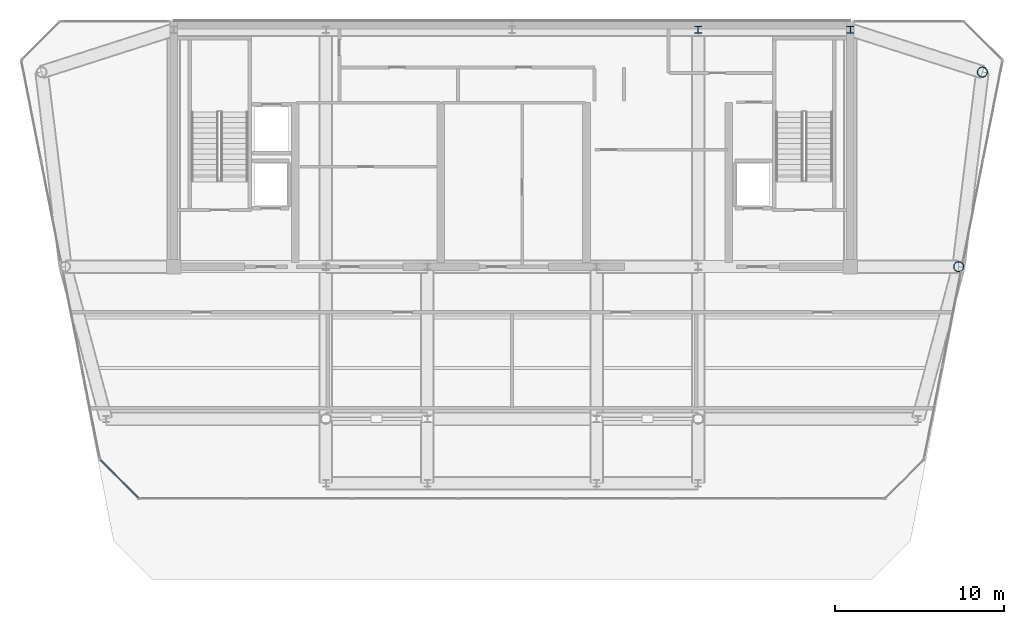
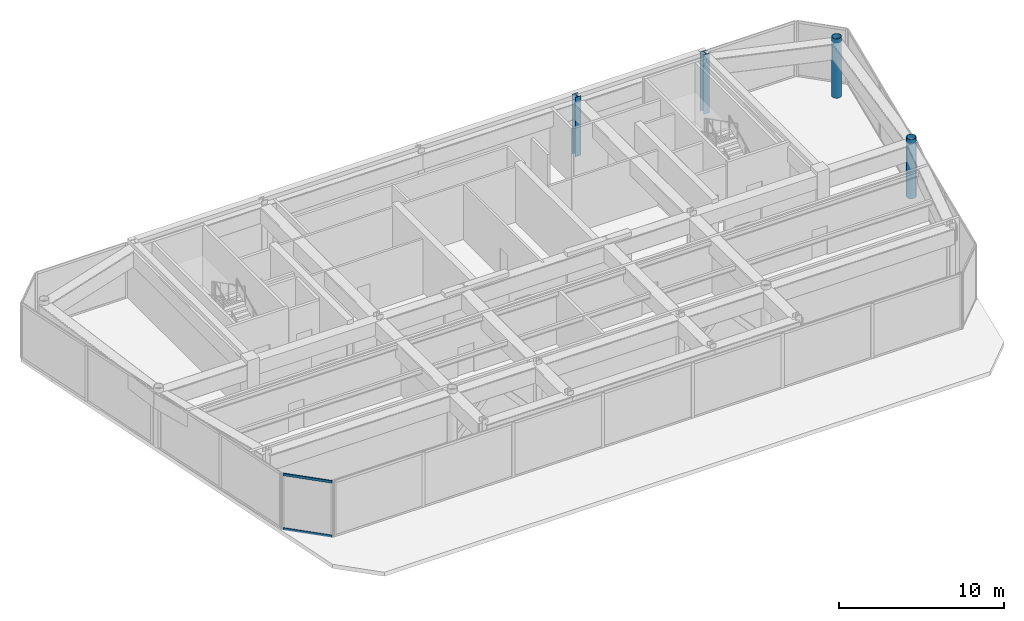
# One storey, part 2 of 12: 4 columns, 2 members, 1 element without a shape of its own.
"""IFC4 building model written with IfcOpenShell, lengths in metres."""

import ifcopenshell
import ifcopenshell.guid

model = None  # the IFC model being written
_history = None  # IfcOwnerHistory: only IFC2X3 demands one
_inside = {}  # id of a spatial element -> (the spatial element, [elements in it])
_under = {}  # id of a project, library or spatial element -> (it, [spatial elements below it])
_declared = {}  # id of a project -> (the project, [libraries it declares])
_typed = {}  # id of a type object -> (the type object, [elements of that type])
_made_of = {}  # id of a material, layer set ... -> (it, [elements and type objects made of it])


def new_model(schema):
    """Start an empty IFC model of exactly this schema.

    Asked for "IFC4X3", IfcOpenShell would pick the latest addendum, in which some entities
    have other attributes; the version numbers below select the first issue.
    IFC2X3 requires an IfcOwnerHistory on every rooted entity: one is made here for all.
    """
    global model, _history
    if schema == "IFC4X3":
        model = ifcopenshell.file(schema_version=(4, 3, 0, 0))
    else:
        model = ifcopenshell.file(schema=schema)
    _inside.clear()
    _under.clear()
    _declared.clear()
    _typed.clear()
    _made_of.clear()
    _history = None
    if model.schema == "IFC2X3":
        org = make("IfcOrganization", Name="unknown")
        user = make(
            "IfcPersonAndOrganization",
            ThePerson=make("IfcPerson", FamilyName="unknown"),
            TheOrganization=org,
        )
        app = make(
            "IfcApplication",
            ApplicationDeveloper=org,
            Version="unknown",
            ApplicationFullName="unknown",
            ApplicationIdentifier="unknown",
        )
        _history = make(
            "IfcOwnerHistory",
            OwningUser=user,
            OwningApplication=app,
            ChangeAction="ADDED",
            CreationDate=0,
        )
    return model


def make(cls, **values):
    """One entity of the class cls with the attributes given. An attribute that is None is left unset."""
    return model.create_entity(
        cls, **{name: value for name, value in values.items() if value is not None}
    )


def rooted(cls, **values):
    """An entity with a GlobalId (a new one), such as an element, a storey or a relation."""
    return make(cls, GlobalId=ifcopenshell.guid.new(), OwnerHistory=_history, **values)


def si_unit(unit_type, name, prefix=None):
    """IfcSIUnit, for example si_unit("LENGTHUNIT", "METRE", prefix="MILLI")."""
    return make("IfcSIUnit", UnitType=unit_type, Prefix=prefix, Name=name)


def assignment(units):
    """IfcUnitAssignment: the units of a project."""
    return None if units is None else make("IfcUnitAssignment", Units=units)


def point(xyz):
    """IfcCartesianPoint."""
    return None if xyz is None else make("IfcCartesianPoint", Coordinates=xyz)


def direction(xyz):
    """IfcDirection."""
    return None if xyz is None else make("IfcDirection", DirectionRatios=xyz)


def frame(location, z_axis=None, x_axis=None):
    """IfcAxis2Placement3D, a coordinate frame: its origin and axes. An axis left out is left unset."""
    return make(
        "IfcAxis2Placement3D",
        Location=point(location),
        Axis=direction(z_axis),
        RefDirection=direction(x_axis),
    )


def frame_2d(location, x_axis=None):
    """IfcAxis2Placement2D, a coordinate frame in the plane: its origin and x axis."""
    return make(
        "IfcAxis2Placement2D", Location=point(location), RefDirection=direction(x_axis)
    )


def origin():
    """The frame at (0, 0, 0) with its axes left unset."""
    return frame((0.0, 0.0, 0.0))


def origin_2d():
    """The frame at (0, 0) in the plane with its x axis left unset."""
    return frame_2d((0.0, 0.0))


def place(relative_to, where):
    """IfcLocalPlacement: puts the frame where relative to a parent placement (None: the world)."""
    return make(
        "IfcLocalPlacement", PlacementRelTo=relative_to, RelativePlacement=where
    )


def context(
    kind, dimensions, precision=None, world=None, true_north=None, identifier=None
):
    """IfcGeometricRepresentationContext, for example the 3D "Model" context."""
    return make(
        "IfcGeometricRepresentationContext",
        ContextIdentifier=identifier,
        ContextType=kind,
        CoordinateSpaceDimension=dimensions,
        Precision=precision,
        WorldCoordinateSystem=world,
        TrueNorth=true_north,
    )


def subcontext(parent, identifier, kind, view, scale=None):
    """IfcGeometricRepresentationSubContext, for example "Body" below "Model"."""
    return make(
        "IfcGeometricRepresentationSubContext",
        ContextIdentifier=identifier,
        ContextType=kind,
        ParentContext=parent,
        TargetScale=scale,
        TargetView=view,
    )


def project(units=None, contexts=None):
    """IfcProject with its units and contexts."""
    return rooted(
        "IfcProject",
        Name="project",
        RepresentationContexts=contexts,
        UnitsInContext=assignment(units),
    )


def spatial(cls, under=None, at=None, **own):
    """A site, building, storey or space (cls), placed at a placement, below another one or the project."""
    s = rooted(cls, ObjectPlacement=at, **own)
    if under is not None:
        _under.setdefault(under.id(), (under, []))[1].append(s)
    return s


def profile(cls, at=None, kind="AREA", **sizes):
    """A parametric profile (cls). Its sizes go by their IFC names, for example OverallWidth=200.0."""
    return make(cls, ProfileType=kind, Position=at, **sizes)


def rectangle(**sizes):
    """IfcRectangleProfileDef."""
    return profile("IfcRectangleProfileDef", **sizes)


def hollow_circle(**sizes):
    """IfcCircleHollowProfileDef."""
    return profile("IfcCircleHollowProfileDef", **sizes)


def i_section(**sizes):
    """IfcIShapeProfileDef."""
    return profile("IfcIShapeProfileDef", **sizes)


def extrude(swept, where, along, depth):
    """IfcExtrudedAreaSolid: the profile swept, set in the frame where, extruded along a direction by depth."""
    return make(
        "IfcExtrudedAreaSolid",
        SweptArea=swept,
        Position=where,
        ExtrudedDirection=direction(along),
        Depth=depth,
    )


def shape(context_of_items, identifier, shape_type, items):
    """IfcShapeRepresentation: the items that make up one representation, for example the "Body"."""
    return make(
        "IfcShapeRepresentation",
        ContextOfItems=context_of_items,
        RepresentationIdentifier=identifier,
        RepresentationType=shape_type,
        Items=items,
    )


def source(mapping_origin, context_of_items, identifier, shape_type, items):
    """IfcRepresentationMap: a shape defined once, which mapped items show again and again."""
    return make(
        "IfcRepresentationMap",
        MappingOrigin=mapping_origin,
        MappedRepresentation=shape(context_of_items, identifier, shape_type, items),
    )


def transform(
    local_origin,
    x_axis=None,
    y_axis=None,
    z_axis=None,
    scale=None,
    scale2=None,
    scale3=None,
    uniform=True,
):
    """IfcCartesianTransformationOperator3D, or its non-uniform kind. x_axis, y_axis, z_axis: its Axis1, 2, 3."""
    if uniform:
        return make(
            "IfcCartesianTransformationOperator3D",
            Axis1=direction(x_axis),
            Axis2=direction(y_axis),
            LocalOrigin=point(local_origin),
            Scale=scale,
            Axis3=direction(z_axis),
        )
    return make(
        "IfcCartesianTransformationOperator3DnonUniform",
        Axis1=direction(x_axis),
        Axis2=direction(y_axis),
        LocalOrigin=point(local_origin),
        Scale=scale,
        Axis3=direction(z_axis),
        Scale2=scale2,
        Scale3=scale3,
    )


def mapped(mapping_source, mapping_target):
    """IfcMappedItem: shows the shape of a source again, moved by a transform."""
    return make(
        "IfcMappedItem", MappingSource=mapping_source, MappingTarget=mapping_target
    )


def material(Name=None, Category=None):
    """IfcMaterial."""
    return make("IfcMaterial", Name=Name, Category=Category)


def layer(
    of_material, thickness, ventilated=None, Name=None, Category=None, Priority=None
):
    """IfcMaterialLayer: one layer of a wall or slab, of a material (None: an air gap)."""
    return make(
        "IfcMaterialLayer",
        Material=of_material,
        LayerThickness=thickness,
        IsVentilated=ventilated,
        Name=Name,
        Category=Category,
        Priority=Priority,
    )


def layer_set(layers, Name=None):
    """IfcMaterialLayerSet."""
    return make("IfcMaterialLayerSet", MaterialLayers=layers, LayerSetName=Name)


def material_profile(
    of_material, cross_section, Name=None, Category=None, Priority=None
):
    """IfcMaterialProfile: a cross section and its material."""
    return make(
        "IfcMaterialProfile",
        Name=Name,
        Material=of_material,
        Profile=cross_section,
        Priority=Priority,
        Category=Category,
    )


def profile_set(profiles, Name=None, composite=None):
    """IfcMaterialProfileSet."""
    return make(
        "IfcMaterialProfileSet",
        Name=Name,
        MaterialProfiles=profiles,
        CompositeProfile=composite,
    )


def made_of(thing, what):
    """Note that an element or type object is made of a material, layer set ...; save() writes the relation."""
    if what is not None:
        _made_of.setdefault(what.id(), (what, []))[1].append(thing)
    return thing


def type_object(cls, material=None, **own):
    """A type object (cls), such as IfcWallType, which elements share."""
    return made_of(rooted(cls, **own), material)


def element(
    cls,
    number,
    at=None,
    inside=None,
    cuts=None,
    type_object=None,
    material=None,
    context=None,
    identifier="Body",
    shape_type=None,
    held_by="IfcProductDefinitionShape",
    body=None,
    shapes=None,
    **own,
):
    """One element of the class cls, such as IfcWall. Its Tag is "e" and its number.

    at: its placement. inside: the storey or other place that contains it. cuts: it is an
    opening in that element (IfcRelVoidsElement). A single representation is given by context,
    identifier, shape_type and body (its items); several are given by shapes. held_by: the class
    of the entity that holds the representations. save() writes the other relations.
    """
    e = rooted(cls, Tag="e%d" % number, ObjectPlacement=at, **own)
    if body is not None:
        shapes = [shape(context, identifier, shape_type, body)]
    if shapes is not None:
        e.Representation = make(held_by, Representations=shapes)
    if inside is not None:
        _inside.setdefault(inside.id(), (inside, []))[1].append(e)
    if cuts is not None:
        rooted(
            "IfcRelVoidsElement", RelatingBuildingElement=cuts, RelatedOpeningElement=e
        )
    if type_object is not None:
        _typed.setdefault(type_object.id(), (type_object, []))[1].append(e)
    return made_of(e, material)


def aggregate(whole, parts):
    """IfcRelAggregates: a whole, such as a stair, and the parts it consists of."""
    return rooted("IfcRelAggregates", RelatingObject=whole, RelatedObjects=parts)


def save(model, path):
    """Write the relations noted so far, then the file.

    IfcRelAggregates (storeys below a building ...), IfcRelContainedInSpatialStructure (elements
    in a storey), IfcRelDefinesByType, IfcRelAssociatesMaterial and IfcRelDeclares: one each for
    every whole, place, type object, material and project.
    """
    for whole, parts in _under.values():
        aggregate(whole, parts)
    for where, things in _inside.values():
        rooted(
            "IfcRelContainedInSpatialStructure",
            RelatedElements=things,
            RelatingStructure=where,
        )
    for kind, things in _typed.values():
        rooted("IfcRelDefinesByType", RelatedObjects=things, RelatingType=kind)
    for what, things in _made_of.values():
        rooted("IfcRelAssociatesMaterial", RelatedObjects=things, RelatingMaterial=what)
    for by, libraries in _declared.values():
        rooted("IfcRelDeclares", RelatingContext=by, RelatedDefinitions=libraries)
    model.write(path)


model = new_model("IFC4")

# Units and contexts
model_context = context("Model", 3, precision=1e-05, world=origin(), true_north=direction((0.0, 1.0)))
body_context = subcontext(model_context, "Body", "Model", "MODEL_VIEW")
ifc_project = project(units=[si_unit("LENGTHUNIT", "METRE"), si_unit("AREAUNIT", "SQUARE_METRE"), si_unit("VOLUMEUNIT", "CUBIC_METRE"), si_unit("PLANEANGLEUNIT", "RADIAN"), si_unit("MASSUNIT", "GRAM", prefix="KILO")], contexts=[model_context])

# Site, building, storey
site_placement = place(None, origin())
site = spatial("IfcSite", under=ifc_project, at=site_placement, CompositionType="ELEMENT")
building_placement = place(site_placement, origin())
building = spatial("IfcBuilding", under=site, at=building_placement, Name="Vaeldorn Concourse Tower", CompositionType="ELEMENT")
storey_placement = place(building_placement, frame((0.0, 0.0, 308.39990234375)))
storey = spatial("IfcBuildingStorey", under=building, at=storey_placement, Name="L79", CompositionType="ELEMENT", Elevation=308.39990234375)

# Columns
ifc_material_1 = material(Name="Steel S355", Category="steel")
ifc_material_profile_1 = material_profile(ifc_material_1, i_section(OverallWidth=0.406005859375, OverallDepth=0.416015625, WebThickness=0.02978515625, FlangeThickness=0.0419921875, FilletRadius=0.014892578125, at=origin_2d()), Name="HD 400x382")
ifc_profile_set_1 = profile_set([ifc_material_profile_1], Name="Steel S355")
column_type_1 = type_object("IfcColumnType", Name="COL-HD382", PredefinedType="COLUMN", material=ifc_profile_set_1)
shared_shape_1 = source(origin(), body_context, "Body", "SweptSolid", [
    extrude(i_section(OverallWidth=0.406005859375, OverallDepth=0.416015625, WebThickness=0.02978515625, FlangeThickness=0.0419921875, FilletRadius=0.014892578125, at=origin_2d()), origin(), (0.0, 0.0, 1.0), 4.400146484375),
])
for number, where, z_axis, x_axis, name in (
    (1, (45.0, 50.5, 0.0), (0.0, 0.0, 1.0), (1.0, 0.0, 0.0), "Column C-HC4 L79"),
    (2, (54.0, 50.5, 0.0), (0.0, 0.0, 1.0), (1.0, 0.0, 0.0), "Column C-HC5 L79"),
):
    element("IfcColumn", number, at=place(storey_placement, frame(where, z_axis=z_axis, x_axis=x_axis)), inside=storey, type_object=column_type_1, Name=name, PredefinedType="COLUMN", context=body_context, shape_type="MappedRepresentation", body=[
        mapped(shared_shape_1, transform((0.0, 0.0, 0.0), scale=1.0)),
    ])
ifc_material_profile_2 = material_profile(ifc_material_1, hollow_circle(Radius=0.304931640625, WallThickness=0.030029296875, at=origin_2d()), Name="CHS 610x30")
ifc_profile_set_2 = profile_set([ifc_material_profile_2], Name="Steel S355")
column_type_2 = type_object("IfcColumnType", Name="COL-CHS610", PredefinedType="COLUMN", material=ifc_profile_set_2)
shared_shape_2 = source(origin(), body_context, "Body", "SweptSolid", [
    extrude(hollow_circle(Radius=0.304931640625, WallThickness=0.030029296875, at=origin_2d()), origin(), (0.0, 0.0, 1.0), 4.400146484375),
])
for number, where, z_axis, x_axis, name in (
    (3, (61.800048828125, 48.0, 0.0), (0.0, 0.0, 1.0), (1.0, 0.0, 0.0), "Column C-NE1 L79"),
    (4, (60.39990234375, 36.5, 0.0), (0.0, 0.0, 1.0), (1.0, 0.0, 0.0), "Column C-NE2 L79"),
):
    element("IfcColumn", number, at=place(storey_placement, frame(where, z_axis=z_axis, x_axis=x_axis)), inside=storey, type_object=column_type_2, Name=name, PredefinedType="COLUMN", context=body_context, shape_type="MappedRepresentation", body=[
        mapped(shared_shape_2, transform((0.0, 0.0, 0.0), scale=1.0)),
    ])

# Curtain wall, members
ifc_material_2 = material(Name="Anodised Bronze Aluminium", Category="aluminium")
ifc_layer = layer(ifc_material_2, 0.22998046875)
ifc_layer_set = layer_set([ifc_layer], Name="Anodised Bronze Aluminium")
curtain_wall_type = type_object("IfcCurtainWallType", Name="CW-SYS-07", PredefinedType="NOTDEFINED", material=ifc_layer_set)
curtain_wall_placement = place(storey_placement, origin())
curtain_wall = element("IfcCurtainWall", 5, at=curtain_wall_placement, inside=storey, type_object=curtain_wall_type, Name="Unitised Curtain Wall CW-L79-E08-1", PredefinedType="NOTDEFINED")
ifc_material_profile_3 = material_profile(ifc_material_2, rectangle(XDim=0.074951171875, YDim=0.179931640625, at=origin_2d()), Name="CWT 75x180")
ifc_profile_set_3 = profile_set([ifc_material_profile_3], Name="Anodised Bronze Aluminium")
member_type = type_object("IfcMemberType", Name="CWT-BRONZE-180", PredefinedType="USERDEFINED", material=ifc_profile_set_3)
shared_shape_3 = source(origin(), body_context, "Body", "SweptSolid", [
    extrude(rectangle(XDim=0.074951171875, YDim=0.179931640625, at=origin_2d()), origin(), (0.0, 0.0, 1.0), 3.1025390625),
])
member_1_placement = place(storey_placement, frame((9.7060546875, 25.046875, 0.03759765625), z_axis=(0.707106781187, -0.707106781187, 0.0), x_axis=(0.707106781187, 0.707106781187, 0.0)))
member_1 = element("IfcMember", 6, at=member_1_placement, type_object=member_type, Name="CW-07 transom 1.1", ObjectType="TRANSOM", PredefinedType="USERDEFINED", context=body_context, shape_type="MappedRepresentation", body=[
    mapped(shared_shape_3, transform((0.0, 0.0, 0.0), scale=1.0)),
])
member_2_placement = place(storey_placement, frame((9.7060546875, 25.046875, 4.0625), z_axis=(0.707106781187, -0.707106781187, 0.0), x_axis=(0.707106781187, 0.707106781187, 0.0)))
member_2 = element("IfcMember", 7, at=member_2_placement, type_object=member_type, Name="CW-07 transom 1.2", ObjectType="TRANSOM", PredefinedType="USERDEFINED", context=body_context, shape_type="MappedRepresentation", body=[
    mapped(shared_shape_3, transform((0.0, 0.0, 0.0), scale=1.0)),
])
aggregate(curtain_wall, [member_1, member_2])

save(model, "model.ifc")
